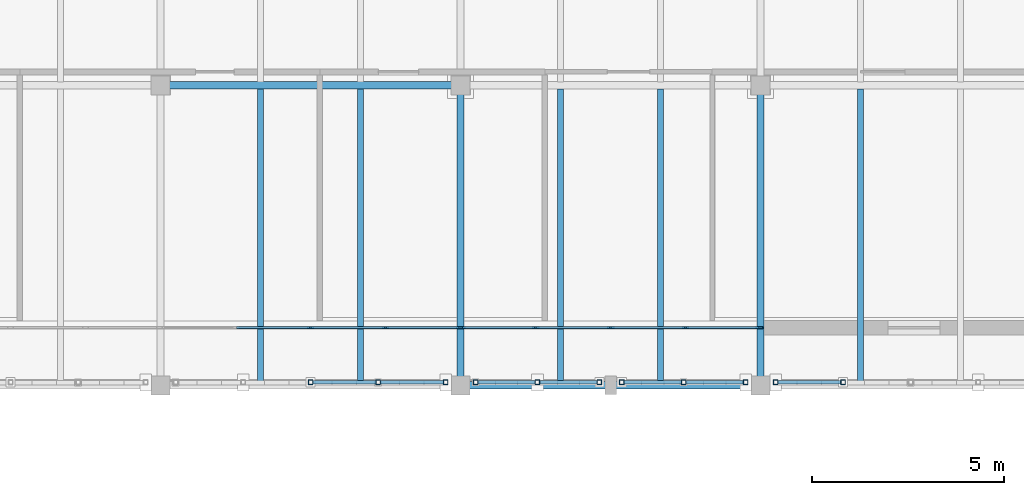
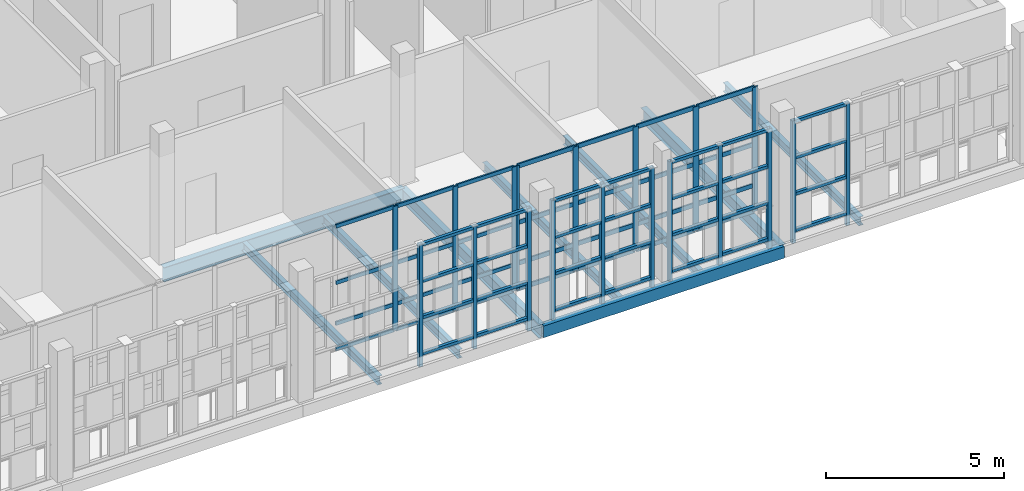
# One storey, part 41 of 89: 75 members, 9 beams, 2 elements without a shape of their own.
"""IFC4 building model written with IfcOpenShell, lengths in metres."""

import ifcopenshell
import ifcopenshell.guid

model = None  # the IFC model being written
_history = None  # IfcOwnerHistory: only IFC2X3 demands one
_inside = {}  # id of a spatial element -> (the spatial element, [elements in it])
_under = {}  # id of a project, library or spatial element -> (it, [spatial elements below it])
_declared = {}  # id of a project -> (the project, [libraries it declares])
_typed = {}  # id of a type object -> (the type object, [elements of that type])
_made_of = {}  # id of a material, layer set ... -> (it, [elements and type objects made of it])


def new_model(schema):
    """Start an empty IFC model of exactly this schema.

    Asked for "IFC4X3", IfcOpenShell would pick the latest addendum, in which some entities
    have other attributes; the version numbers below select the first issue.
    IFC2X3 requires an IfcOwnerHistory on every rooted entity: one is made here for all.
    """
    global model, _history
    if schema == "IFC4X3":
        model = ifcopenshell.file(schema_version=(4, 3, 0, 0))
    else:
        model = ifcopenshell.file(schema=schema)
    _inside.clear()
    _under.clear()
    _declared.clear()
    _typed.clear()
    _made_of.clear()
    _history = None
    if model.schema == "IFC2X3":
        org = make("IfcOrganization", Name="unknown")
        user = make(
            "IfcPersonAndOrganization",
            ThePerson=make("IfcPerson", FamilyName="unknown"),
            TheOrganization=org,
        )
        app = make(
            "IfcApplication",
            ApplicationDeveloper=org,
            Version="unknown",
            ApplicationFullName="unknown",
            ApplicationIdentifier="unknown",
        )
        _history = make(
            "IfcOwnerHistory",
            OwningUser=user,
            OwningApplication=app,
            ChangeAction="ADDED",
            CreationDate=0,
        )
    return model


def make(cls, **values):
    """One entity of the class cls with the attributes given. An attribute that is None is left unset."""
    return model.create_entity(
        cls, **{name: value for name, value in values.items() if value is not None}
    )


def rooted(cls, **values):
    """An entity with a GlobalId (a new one), such as an element, a storey or a relation."""
    return make(cls, GlobalId=ifcopenshell.guid.new(), OwnerHistory=_history, **values)


def si_unit(unit_type, name, prefix=None):
    """IfcSIUnit, for example si_unit("LENGTHUNIT", "METRE", prefix="MILLI")."""
    return make("IfcSIUnit", UnitType=unit_type, Prefix=prefix, Name=name)


def assignment(units):
    """IfcUnitAssignment: the units of a project."""
    return None if units is None else make("IfcUnitAssignment", Units=units)


def point(xyz):
    """IfcCartesianPoint."""
    return None if xyz is None else make("IfcCartesianPoint", Coordinates=xyz)


def direction(xyz):
    """IfcDirection."""
    return None if xyz is None else make("IfcDirection", DirectionRatios=xyz)


def frame(location, z_axis=None, x_axis=None):
    """IfcAxis2Placement3D, a coordinate frame: its origin and axes. An axis left out is left unset."""
    return make(
        "IfcAxis2Placement3D",
        Location=point(location),
        Axis=direction(z_axis),
        RefDirection=direction(x_axis),
    )


def frame_2d(location, x_axis=None):
    """IfcAxis2Placement2D, a coordinate frame in the plane: its origin and x axis."""
    return make(
        "IfcAxis2Placement2D", Location=point(location), RefDirection=direction(x_axis)
    )


def origin():
    """The frame at (0, 0, 0) with its axes left unset."""
    return frame((0.0, 0.0, 0.0))


def origin_2d():
    """The frame at (0, 0) in the plane with its x axis left unset."""
    return frame_2d((0.0, 0.0))


def place(relative_to, where):
    """IfcLocalPlacement: puts the frame where relative to a parent placement (None: the world)."""
    return make(
        "IfcLocalPlacement", PlacementRelTo=relative_to, RelativePlacement=where
    )


def context(
    kind, dimensions, precision=None, world=None, true_north=None, identifier=None
):
    """IfcGeometricRepresentationContext, for example the 3D "Model" context."""
    return make(
        "IfcGeometricRepresentationContext",
        ContextIdentifier=identifier,
        ContextType=kind,
        CoordinateSpaceDimension=dimensions,
        Precision=precision,
        WorldCoordinateSystem=world,
        TrueNorth=true_north,
    )


def subcontext(parent, identifier, kind, view, scale=None):
    """IfcGeometricRepresentationSubContext, for example "Body" below "Model"."""
    return make(
        "IfcGeometricRepresentationSubContext",
        ContextIdentifier=identifier,
        ContextType=kind,
        ParentContext=parent,
        TargetScale=scale,
        TargetView=view,
    )


def project(units=None, contexts=None):
    """IfcProject with its units and contexts."""
    return rooted(
        "IfcProject",
        Name="project",
        RepresentationContexts=contexts,
        UnitsInContext=assignment(units),
    )


def spatial(cls, under=None, at=None, **own):
    """A site, building, storey or space (cls), placed at a placement, below another one or the project."""
    s = rooted(cls, ObjectPlacement=at, **own)
    if under is not None:
        _under.setdefault(under.id(), (under, []))[1].append(s)
    return s


def profile(cls, at=None, kind="AREA", **sizes):
    """A parametric profile (cls). Its sizes go by their IFC names, for example OverallWidth=200.0."""
    return make(cls, ProfileType=kind, Position=at, **sizes)


def rectangle(**sizes):
    """IfcRectangleProfileDef."""
    return profile("IfcRectangleProfileDef", **sizes)


def hollow_rectangle(**sizes):
    """IfcRectangleHollowProfileDef."""
    return profile("IfcRectangleHollowProfileDef", **sizes)


def i_section(**sizes):
    """IfcIShapeProfileDef."""
    return profile("IfcIShapeProfileDef", **sizes)


def extrude(swept, where, along, depth):
    """IfcExtrudedAreaSolid: the profile swept, set in the frame where, extruded along a direction by depth."""
    return make(
        "IfcExtrudedAreaSolid",
        SweptArea=swept,
        Position=where,
        ExtrudedDirection=direction(along),
        Depth=depth,
    )


def shape(context_of_items, identifier, shape_type, items):
    """IfcShapeRepresentation: the items that make up one representation, for example the "Body"."""
    return make(
        "IfcShapeRepresentation",
        ContextOfItems=context_of_items,
        RepresentationIdentifier=identifier,
        RepresentationType=shape_type,
        Items=items,
    )


def material(Name=None, Category=None):
    """IfcMaterial."""
    return make("IfcMaterial", Name=Name, Category=Category)


def layer(
    of_material, thickness, ventilated=None, Name=None, Category=None, Priority=None
):
    """IfcMaterialLayer: one layer of a wall or slab, of a material (None: an air gap)."""
    return make(
        "IfcMaterialLayer",
        Material=of_material,
        LayerThickness=thickness,
        IsVentilated=ventilated,
        Name=Name,
        Category=Category,
        Priority=Priority,
    )


def layer_set(layers, Name=None):
    """IfcMaterialLayerSet."""
    return make("IfcMaterialLayerSet", MaterialLayers=layers, LayerSetName=Name)


def material_profile(
    of_material, cross_section, Name=None, Category=None, Priority=None
):
    """IfcMaterialProfile: a cross section and its material."""
    return make(
        "IfcMaterialProfile",
        Name=Name,
        Material=of_material,
        Profile=cross_section,
        Priority=Priority,
        Category=Category,
    )


def profile_set(profiles, Name=None, composite=None):
    """IfcMaterialProfileSet."""
    return make(
        "IfcMaterialProfileSet",
        Name=Name,
        MaterialProfiles=profiles,
        CompositeProfile=composite,
    )


def made_of(thing, what):
    """Note that an element or type object is made of a material, layer set ...; save() writes the relation."""
    if what is not None:
        _made_of.setdefault(what.id(), (what, []))[1].append(thing)
    return thing


def type_object(cls, material=None, **own):
    """A type object (cls), such as IfcWallType, which elements share."""
    return made_of(rooted(cls, **own), material)


def element(
    cls,
    number,
    at=None,
    inside=None,
    cuts=None,
    type_object=None,
    material=None,
    context=None,
    identifier="Body",
    shape_type=None,
    held_by="IfcProductDefinitionShape",
    body=None,
    shapes=None,
    **own,
):
    """One element of the class cls, such as IfcWall. Its Tag is "e" and its number.

    at: its placement. inside: the storey or other place that contains it. cuts: it is an
    opening in that element (IfcRelVoidsElement). A single representation is given by context,
    identifier, shape_type and body (its items); several are given by shapes. held_by: the class
    of the entity that holds the representations. save() writes the other relations.
    """
    e = rooted(cls, Tag="e%d" % number, ObjectPlacement=at, **own)
    if body is not None:
        shapes = [shape(context, identifier, shape_type, body)]
    if shapes is not None:
        e.Representation = make(held_by, Representations=shapes)
    if inside is not None:
        _inside.setdefault(inside.id(), (inside, []))[1].append(e)
    if cuts is not None:
        rooted(
            "IfcRelVoidsElement", RelatingBuildingElement=cuts, RelatedOpeningElement=e
        )
    if type_object is not None:
        _typed.setdefault(type_object.id(), (type_object, []))[1].append(e)
    return made_of(e, material)


def aggregate(whole, parts):
    """IfcRelAggregates: a whole, such as a stair, and the parts it consists of."""
    return rooted("IfcRelAggregates", RelatingObject=whole, RelatedObjects=parts)


def save(model, path):
    """Write the relations noted so far, then the file.

    IfcRelAggregates (storeys below a building ...), IfcRelContainedInSpatialStructure (elements
    in a storey), IfcRelDefinesByType, IfcRelAssociatesMaterial and IfcRelDeclares: one each for
    every whole, place, type object, material and project.
    """
    for whole, parts in _under.values():
        aggregate(whole, parts)
    for where, things in _inside.values():
        rooted(
            "IfcRelContainedInSpatialStructure",
            RelatedElements=things,
            RelatingStructure=where,
        )
    for kind, things in _typed.values():
        rooted("IfcRelDefinesByType", RelatedObjects=things, RelatingType=kind)
    for what, things in _made_of.values():
        rooted("IfcRelAssociatesMaterial", RelatedObjects=things, RelatingMaterial=what)
    for by, libraries in _declared.values():
        rooted("IfcRelDeclares", RelatingContext=by, RelatedDefinitions=libraries)
    model.write(path)


model = new_model("IFC4")

# Units and contexts
model_context = context("Model", 3, precision=1e-05, world=origin(), true_north=direction((0.0, 1.0)))
body_context = subcontext(model_context, "Body", "Model", "MODEL_VIEW")
ifc_project = project(units=[si_unit("LENGTHUNIT", "METRE"), si_unit("AREAUNIT", "SQUARE_METRE"), si_unit("VOLUMEUNIT", "CUBIC_METRE"), si_unit("PLANEANGLEUNIT", "RADIAN"), si_unit("MASSUNIT", "GRAM", prefix="KILO")], contexts=[model_context])

# Site, building, storey
site_placement = place(None, origin())
site = spatial("IfcSite", under=ifc_project, at=site_placement, CompositionType="ELEMENT")
building_placement = place(site_placement, origin())
building = spatial("IfcBuilding", under=site, at=building_placement, Name="Celorna Specialist Clinic", CompositionType="ELEMENT")
storey_placement = place(building_placement, frame((0.0, 0.0, 14.10009765625)))
storey = spatial("IfcBuildingStorey", under=building, at=storey_placement, Name="L03", CompositionType="ELEMENT", Elevation=14.10009765625)

# Beams
ifc_material_1 = material(Name="Steel S355", Category="steel")
ifc_material_profile_1 = material_profile(ifc_material_1, i_section(OverallWidth=0.199951171875, OverallDepth=0.5, WebThickness=0.01025390625, FlangeThickness=0.01611328125, at=origin_2d()), Name="IPE 500")
ifc_profile_set_1 = profile_set([ifc_material_profile_1], Name="Steel S355")
beam_type_1 = type_object("IfcBeamType", Name="BM-08", PredefinedType="BEAM", material=ifc_profile_set_1)
beam_1_placement = place(storey_placement, frame((109.199951171875, 104.300048828125, -0.510009765625), z_axis=(1.0, 0.0, 0.0), x_axis=(0.0, 1.0, 0.0)))
element("IfcBeam", 1, at=beam_1_placement, inside=storey, type_object=beam_type_1, Name="Primary girder BM-08 #1220", PredefinedType="BEAM", context=body_context, shape_type="SweptSolid", body=[
    extrude(i_section(OverallWidth=0.199951171875, OverallDepth=0.5, WebThickness=0.01025390625, FlangeThickness=0.01611328125, at=origin_2d()), origin(), (0.0, 0.0, 1.0), 7.800048828125),
])
ifc_material_profile_2 = material_profile(ifc_material_1, i_section(OverallWidth=0.18994140625, OverallDepth=0.449951171875, WebThickness=0.009521484375, FlangeThickness=0.0146484375, at=origin_2d()), Name="IPE 450")
ifc_profile_set_2 = profile_set([ifc_material_profile_2], Name="Steel S355")
beam_type_2 = type_object("IfcBeamType", Name="BM-09", PredefinedType="BEAM", material=ifc_profile_set_2)
for number, where, z_axis, x_axis, name in (
    (2, (117.0, 96.5, -0.485107421875), (0.0, 1.0, 0.0), (-1.0, 0.0, 0.0), "Transverse girder BM-09 #1272"),
    (3, (124.800048828125, 96.5, -0.485107421875), (0.0, 1.0, 0.0), (-1.0, 0.0, 0.0), "Transverse girder BM-09 #1275"),
):
    element("IfcBeam", number, at=place(storey_placement, frame(where, z_axis=z_axis, x_axis=x_axis)), inside=storey, type_object=beam_type_2, Name=name, PredefinedType="BEAM", context=body_context, shape_type="SweptSolid", body=[
        extrude(i_section(OverallWidth=0.18994140625, OverallDepth=0.449951171875, WebThickness=0.009521484375, FlangeThickness=0.0146484375, at=origin_2d()), origin(), (0.0, 0.0, 1.0), 7.800048828125),
    ])
ifc_material_profile_3 = material_profile(ifc_material_1, i_section(OverallWidth=0.14990234375, OverallDepth=0.300048828125, WebThickness=0.007080078125, FlangeThickness=0.0107421875, at=origin_2d()), Name="IPE 300")
ifc_profile_set_3 = profile_set([ifc_material_profile_3], Name="Steel S355")
beam_type_3 = type_object("IfcBeamType", Name="BM-13", PredefinedType="JOIST", material=ifc_profile_set_3)
for number, where, z_axis, x_axis, name in (
    (4, (111.800048828125, 96.587890625, -0.41015625), (0.0, 1.0, 0.0), (-1.0, 0.0, 0.0), "Secondary floor joist BM-13 #1323"),
    (5, (114.39990234375, 96.587890625, -0.41015625), (0.0, 1.0, 0.0), (-1.0, 0.0, 0.0), "Secondary floor joist BM-13 #1324"),
    (6, (119.60009765625, 96.587890625, -0.41015625), (0.0, 1.0, 0.0), (-1.0, 0.0, 0.0), "Secondary floor joist BM-13 #1329"),
    (7, (122.199951171875, 96.587890625, -0.41015625), (0.0, 1.0, 0.0), (-1.0, 0.0, 0.0), "Secondary floor joist BM-13 #1330"),
    (8, (127.39990234375, 96.587890625, -0.41015625), (0.0, 1.0, 0.0), (-1.0, 0.0, 0.0), "Secondary floor joist BM-13 #1333"),
):
    element("IfcBeam", number, at=place(storey_placement, frame(where, z_axis=z_axis, x_axis=x_axis)), inside=storey, type_object=beam_type_3, Name=name, PredefinedType="JOIST", context=body_context, shape_type="SweptSolid", body=[
        extrude(i_section(OverallWidth=0.14990234375, OverallDepth=0.300048828125, WebThickness=0.007080078125, FlangeThickness=0.0107421875, at=origin_2d()), origin(), (0.0, 0.0, 1.0), 7.6240234375),
    ])
ifc_material_profile_4 = material_profile(ifc_material_1, hollow_rectangle(XDim=0.199951171875, YDim=0.39990234375, WallThickness=0.011962890625, at=origin_2d()), Name="RHS 200x400x12")
ifc_profile_set_4 = profile_set([ifc_material_profile_4], Name="Steel S355")
beam_type_4 = type_object("IfcBeamType", Name="BM-15", PredefinedType="SPANDREL", material=ifc_profile_set_4)
beam_2_placement = place(storey_placement, frame((117.0, 96.5, -0.460205078125), z_axis=(1.0, 0.0, 0.0), x_axis=(0.0, 1.0, 0.0)))
element("IfcBeam", 9, at=beam_2_placement, inside=storey, type_object=beam_type_4, Name="Spandrel beam BM-15 #1210", PredefinedType="SPANDREL", context=body_context, shape_type="SweptSolid", body=[
    extrude(hollow_rectangle(XDim=0.199951171875, YDim=0.39990234375, WallThickness=0.011962890625, at=origin_2d()), origin(), (0.0, 0.0, 1.0), 7.800048828125),
])

# Members
ifc_material_profile_5 = material_profile(ifc_material_1, hollow_rectangle(XDim=0.1201171875, YDim=0.1201171875, WallThickness=0.008056640625, at=origin_2d()), Name="SHS 120x120x8")
ifc_profile_set_5 = profile_set([ifc_material_profile_5], Name="Steel S355")
member_type_1 = type_object("IfcMemberType", Name="MB-11", PredefinedType="STUD", material=ifc_profile_set_5)
for number, where, z_axis, x_axis, name in (
    (10, (113.10009765625, 96.580078125, -0.360107421875), (0.0, 0.0, 1.0), (1.0, 0.0, 0.0), "Perforated screen steel post #1403"),
    (11, (114.85498046875, 96.580078125, -0.360107421875), (0.0, 0.0, 1.0), (1.0, 0.0, 0.0), "Perforated screen steel post #1404"),
    (12, (116.610107421875, 96.580078125, -0.360107421875), (0.0, 0.0, 1.0), (1.0, 0.0, 0.0), "Perforated screen steel post #1405"),
    (13, (117.389892578125, 96.580078125, -0.360107421875), (0.0, 0.0, 1.0), (1.0, 0.0, 0.0), "Perforated screen steel post #1422"),
    (14, (119.0, 96.580078125, -0.360107421875), (0.0, 0.0, 1.0), (1.0, 0.0, 0.0), "Perforated screen steel post #1423"),
    (15, (120.610107421875, 96.580078125, -0.360107421875), (0.0, 0.0, 1.0), (1.0, 0.0, 0.0), "Perforated screen steel post #1424"),
    (16, (121.18994140625, 96.580078125, -0.360107421875), (0.0, 0.0, 1.0), (1.0, 0.0, 0.0), "Perforated screen steel post #1433"),
    (17, (122.800048828125, 96.580078125, -0.360107421875), (0.0, 0.0, 1.0), (1.0, 0.0, 0.0), "Perforated screen steel post #1434"),
    (18, (124.409912109375, 96.580078125, -0.360107421875), (0.0, 0.0, 1.0), (1.0, 0.0, 0.0), "Perforated screen steel post #1435"),
    (19, (125.18994140625, 96.580078125, -0.360107421875), (0.0, 0.0, 1.0), (1.0, 0.0, 0.0), "Perforated screen steel post #1444"),
    (20, (126.945068359375, 96.580078125, -0.360107421875), (0.0, 0.0, 1.0), (1.0, 0.0, 0.0), "Perforated screen steel post #1445"),
):
    element("IfcMember", number, at=place(storey_placement, frame(where, z_axis=z_axis, x_axis=x_axis)), inside=storey, type_object=member_type_1, Name=name, PredefinedType="STUD", context=body_context, shape_type="SweptSolid", body=[
        extrude(hollow_rectangle(XDim=0.1201171875, YDim=0.1201171875, WallThickness=0.008056640625, at=origin_2d()), origin(), (0.0, 0.0, 1.0), 4.199951171875),
    ])
ifc_material_profile_6 = material_profile(ifc_material_1, hollow_rectangle(XDim=0.10009765625, YDim=0.10009765625, WallThickness=0.006103515625, at=origin_2d()), Name="SHS 100x100x6")
ifc_profile_set_6 = profile_set([ifc_material_profile_6], Name="Steel S355")
member_type_2 = type_object("IfcMemberType", Name="MB-12", PredefinedType="STUD", material=ifc_profile_set_6)
for number, where, z_axis, x_axis, name in (
    (21, (113.159912109375, 96.580078125, 0.0498046875), (1.0, 0.0, 0.0), (0.0, 1.0, 0.0), "Perforated screen rail #1414"),
    (22, (113.159912109375, 96.580078125, 1.296630859375), (1.0, 0.0, 0.0), (0.0, 1.0, 0.0), "Perforated screen rail #1415"),
    (23, (113.159912109375, 96.580078125, 2.543212890625), (1.0, 0.0, 0.0), (0.0, 1.0, 0.0), "Perforated screen rail #1416"),
    (24, (113.159912109375, 96.580078125, 3.789794921875), (1.0, 0.0, 0.0), (0.0, 1.0, 0.0), "Perforated screen rail #1417"),
    (25, (114.9150390625, 96.580078125, 0.0498046875), (1.0, 0.0, 0.0), (0.0, 1.0, 0.0), "Perforated screen rail #1418"),
    (26, (114.9150390625, 96.580078125, 1.296630859375), (1.0, 0.0, 0.0), (0.0, 1.0, 0.0), "Perforated screen rail #1419"),
    (27, (114.9150390625, 96.580078125, 2.543212890625), (1.0, 0.0, 0.0), (0.0, 1.0, 0.0), "Perforated screen rail #1420"),
    (28, (114.9150390625, 96.580078125, 3.789794921875), (1.0, 0.0, 0.0), (0.0, 1.0, 0.0), "Perforated screen rail #1421"),
):
    element("IfcMember", number, at=place(storey_placement, frame(where, z_axis=z_axis, x_axis=x_axis)), inside=storey, type_object=member_type_2, Name=name, PredefinedType="STUD", context=body_context, shape_type="SweptSolid", body=[
        extrude(hollow_rectangle(XDim=0.10009765625, YDim=0.10009765625, WallThickness=0.006103515625, at=origin_2d()), origin(), (0.0, 0.0, 1.0), 1.635009765625),
    ])
for number, where, z_axis, x_axis, name in (
    (29, (117.449951171875, 96.580078125, 0.0498046875), (1.0, 0.0, 0.0), (0.0, 1.0, 0.0), "Perforated screen rail #1425"),
    (30, (117.449951171875, 96.580078125, 1.296630859375), (1.0, 0.0, 0.0), (0.0, 1.0, 0.0), "Perforated screen rail #1426"),
    (31, (117.449951171875, 96.580078125, 2.543212890625), (1.0, 0.0, 0.0), (0.0, 1.0, 0.0), "Perforated screen rail #1427"),
    (32, (117.449951171875, 96.580078125, 3.789794921875), (1.0, 0.0, 0.0), (0.0, 1.0, 0.0), "Perforated screen rail #1428"),
    (33, (119.06005859375, 96.580078125, 0.0498046875), (1.0, 0.0, 0.0), (0.0, 1.0, 0.0), "Perforated screen rail #1429"),
    (34, (119.06005859375, 96.580078125, 1.296630859375), (1.0, 0.0, 0.0), (0.0, 1.0, 0.0), "Perforated screen rail #1430"),
    (35, (119.06005859375, 96.580078125, 2.543212890625), (1.0, 0.0, 0.0), (0.0, 1.0, 0.0), "Perforated screen rail #1431"),
    (36, (119.06005859375, 96.580078125, 3.789794921875), (1.0, 0.0, 0.0), (0.0, 1.0, 0.0), "Perforated screen rail #1432"),
    (37, (121.25, 96.580078125, 0.0498046875), (1.0, 0.0, 0.0), (0.0, 1.0, 0.0), "Perforated screen rail #1436"),
    (38, (121.25, 96.580078125, 1.296630859375), (1.0, 0.0, 0.0), (0.0, 1.0, 0.0), "Perforated screen rail #1437"),
    (39, (121.25, 96.580078125, 2.543212890625), (1.0, 0.0, 0.0), (0.0, 1.0, 0.0), "Perforated screen rail #1438"),
    (40, (121.25, 96.580078125, 3.789794921875), (1.0, 0.0, 0.0), (0.0, 1.0, 0.0), "Perforated screen rail #1439"),
    (41, (122.860107421875, 96.580078125, 0.0498046875), (1.0, 0.0, 0.0), (0.0, 1.0, 0.0), "Perforated screen rail #1440"),
    (42, (122.860107421875, 96.580078125, 1.296630859375), (1.0, 0.0, 0.0), (0.0, 1.0, 0.0), "Perforated screen rail #1441"),
    (43, (122.860107421875, 96.580078125, 2.543212890625), (1.0, 0.0, 0.0), (0.0, 1.0, 0.0), "Perforated screen rail #1442"),
    (44, (122.860107421875, 96.580078125, 3.789794921875), (1.0, 0.0, 0.0), (0.0, 1.0, 0.0), "Perforated screen rail #1443"),
):
    element("IfcMember", number, at=place(storey_placement, frame(where, z_axis=z_axis, x_axis=x_axis)), inside=storey, type_object=member_type_2, Name=name, PredefinedType="STUD", context=body_context, shape_type="SweptSolid", body=[
        extrude(hollow_rectangle(XDim=0.10009765625, YDim=0.10009765625, WallThickness=0.006103515625, at=origin_2d()), origin(), (0.0, 0.0, 1.0), 1.489990234375),
    ])
for number, where, z_axis, x_axis, name in (
    (45, (125.25, 96.580078125, 0.0498046875), (1.0, 0.0, 0.0), (0.0, 1.0, 0.0), "Perforated screen rail #1449"),
    (46, (125.25, 96.580078125, 1.296630859375), (1.0, 0.0, 0.0), (0.0, 1.0, 0.0), "Perforated screen rail #1450"),
    (47, (125.25, 96.580078125, 2.543212890625), (1.0, 0.0, 0.0), (0.0, 1.0, 0.0), "Perforated screen rail #1451"),
    (48, (125.25, 96.580078125, 3.789794921875), (1.0, 0.0, 0.0), (0.0, 1.0, 0.0), "Perforated screen rail #1452"),
):
    element("IfcMember", number, at=place(storey_placement, frame(where, z_axis=z_axis, x_axis=x_axis)), inside=storey, type_object=member_type_2, Name=name, PredefinedType="STUD", context=body_context, shape_type="SweptSolid", body=[
        extrude(hollow_rectangle(XDim=0.10009765625, YDim=0.10009765625, WallThickness=0.006103515625, at=origin_2d()), origin(), (0.0, 0.0, 1.0), 1.635009765625),
    ])

# Curtain wall, members
ifc_material_2 = material(Name="Thermally broken aluminium and solar-control glass curtain wall", Category="aluminium")
ifc_layer_1 = layer(ifc_material_2, 0.159912109375, Name="Thermally broken aluminium and solar-control glass curtain wall")
ifc_layer_set_1 = layer_set([ifc_layer_1], Name="Thermally broken aluminium and solar-control glass curtain wall")
curtain_wall_type_1 = type_object("IfcCurtainWallType", Name="CW-70", PredefinedType="NOTDEFINED", material=ifc_layer_set_1)
curtain_wall_1_placement = place(storey_placement, origin())
curtain_wall_1 = element("IfcCurtainWall", 49, at=curtain_wall_1_placement, inside=storey, type_object=curtain_wall_type_1, Name="Curtain wall CW-70 #135", PredefinedType="NOTDEFINED")
ifc_material_3 = material(Name="Anodized aluminium mullion", Category="aluminium")
ifc_material_profile_7 = material_profile(ifc_material_3, rectangle(XDim=0.050048828125, YDim=0.159912109375, at=origin_2d()), Name="ALU MULLION 50x160")
ifc_profile_set_7 = profile_set([ifc_material_profile_7], Name="Anodized aluminium mullion")
member_type_3 = type_object("IfcMemberType", Name="ML-01", PredefinedType="MULLION", material=ifc_profile_set_7)
member_1_placement = place(storey_placement, frame((116.970947265625, 98.0, 0.0), z_axis=(0.0, 0.0, 1.0), x_axis=(0.0, -1.0, 0.0)))
member_1 = element("IfcMember", 50, at=member_1_placement, type_object=member_type_3, Name="CW-70 mullion 1", PredefinedType="MULLION", context=body_context, shape_type="SweptSolid", body=[
    extrude(rectangle(XDim=0.050048828125, YDim=0.159912109375, at=origin_2d()), origin(), (0.0, 0.0, 1.0), 4.260009765625),
])
member_2_placement = place(storey_placement, frame((115.048095703125, 98.0, 0.0), z_axis=(0.0, 0.0, 1.0), x_axis=(0.0, -1.0, 0.0)))
member_2 = element("IfcMember", 51, at=member_2_placement, type_object=member_type_3, Name="CW-70 mullion 2", PredefinedType="MULLION", context=body_context, shape_type="SweptSolid", body=[
    extrude(rectangle(XDim=0.050048828125, YDim=0.159912109375, at=origin_2d()), origin(), (0.0, 0.0, 1.0), 4.260009765625),
])
member_3_placement = place(storey_placement, frame((113.10009765625, 98.0, 0.0), z_axis=(0.0, 0.0, 1.0), x_axis=(0.0, -1.0, 0.0)))
member_3 = element("IfcMember", 52, at=member_3_placement, type_object=member_type_3, Name="CW-70 mullion 3", PredefinedType="MULLION", context=body_context, shape_type="SweptSolid", body=[
    extrude(rectangle(XDim=0.050048828125, YDim=0.159912109375, at=origin_2d()), origin(), (0.0, 0.0, 1.0), 4.260009765625),
])

ifc_layer_2 = layer(ifc_material_2, 0.159912109375, Name="Thermally broken aluminium and solar-control glass curtain wall")
ifc_layer_set_2 = layer_set([ifc_layer_2], Name="Thermally broken aluminium and solar-control glass curtain wall")
curtain_wall_type_2 = type_object("IfcCurtainWallType", Name="CW-71", PredefinedType="NOTDEFINED", material=ifc_layer_set_2)
curtain_wall_2_placement = place(storey_placement, origin())
curtain_wall_2 = element("IfcCurtainWall", 53, at=curtain_wall_2_placement, inside=storey, type_object=curtain_wall_type_2, Name="Curtain wall CW-71 #136", PredefinedType="NOTDEFINED")
ifc_material_profile_8 = material_profile(ifc_material_3, rectangle(XDim=0.050048828125, YDim=0.179931640625, at=origin_2d()), Name="ALU MULLION 50x180")
ifc_profile_set_8 = profile_set([ifc_material_profile_8], Name="Anodized aluminium mullion")
member_type_4 = type_object("IfcMemberType", Name="ML-02", PredefinedType="MULLION", material=ifc_profile_set_8)
member_4_placement = place(storey_placement, frame((124.77099609375, 98.0, 0.0), z_axis=(0.0, 0.0, 1.0), x_axis=(0.0, -1.0, 0.0)))
member_4 = element("IfcMember", 54, at=member_4_placement, type_object=member_type_4, Name="CW-71 mullion 1", PredefinedType="MULLION", context=body_context, shape_type="SweptSolid", body=[
    extrude(rectangle(XDim=0.050048828125, YDim=0.179931640625, at=origin_2d()), origin(), (0.0, 0.0, 1.0), 4.260009765625),
])
member_5_placement = place(storey_placement, frame((122.847900390625, 98.0, 0.0), z_axis=(0.0, 0.0, 1.0), x_axis=(0.0, -1.0, 0.0)))
member_5 = element("IfcMember", 55, at=member_5_placement, type_object=member_type_4, Name="CW-71 mullion 2", PredefinedType="MULLION", context=body_context, shape_type="SweptSolid", body=[
    extrude(rectangle(XDim=0.050048828125, YDim=0.179931640625, at=origin_2d()), origin(), (0.0, 0.0, 1.0), 4.260009765625),
])
member_6_placement = place(storey_placement, frame((120.89990234375, 98.0, 0.0), z_axis=(0.0, 0.0, 1.0), x_axis=(0.0, -1.0, 0.0)))
member_6 = element("IfcMember", 56, at=member_6_placement, type_object=member_type_4, Name="CW-71 mullion 3", PredefinedType="MULLION", context=body_context, shape_type="SweptSolid", body=[
    extrude(rectangle(XDim=0.050048828125, YDim=0.179931640625, at=origin_2d()), origin(), (0.0, 0.0, 1.0), 4.260009765625),
])
member_7_placement = place(storey_placement, frame((118.951904296875, 98.0, 0.0), z_axis=(0.0, 0.0, 1.0), x_axis=(0.0, -1.0, 0.0)))
member_7 = element("IfcMember", 57, at=member_7_placement, type_object=member_type_4, Name="CW-71 mullion 4", PredefinedType="MULLION", context=body_context, shape_type="SweptSolid", body=[
    extrude(rectangle(XDim=0.050048828125, YDim=0.179931640625, at=origin_2d()), origin(), (0.0, 0.0, 1.0), 4.260009765625),
])
member_8_placement = place(storey_placement, frame((117.029052734375, 98.0, 0.0), z_axis=(0.0, 0.0, 1.0), x_axis=(0.0, -1.0, 0.0)))
member_8 = element("IfcMember", 58, at=member_8_placement, type_object=member_type_4, Name="CW-71 mullion 5", PredefinedType="MULLION", context=body_context, shape_type="SweptSolid", body=[
    extrude(rectangle(XDim=0.050048828125, YDim=0.179931640625, at=origin_2d()), origin(), (0.0, 0.0, 1.0), 4.260009765625),
])

# Member
ifc_material_4 = material(Name="Anodized aluminium transom", Category="aluminium")
ifc_material_profile_9 = material_profile(ifc_material_4, rectangle(XDim=0.050048828125, YDim=0.1298828125, at=origin_2d()), Name="ALU TRANSOM 50x130")
ifc_profile_set_9 = profile_set([ifc_material_profile_9], Name="Anodized aluminium transom")
member_type_5 = type_object("IfcMemberType", Name="TR-01", PredefinedType="USERDEFINED", material=ifc_profile_set_9)
member_9_placement = place(storey_placement, frame((116.946044921875, 98.0, 0.02490234375), z_axis=(-1.0, 0.0, 0.0), x_axis=(0.0, -1.0, 0.0)))
member_9 = element("IfcMember", 59, at=member_9_placement, type_object=member_type_5, Name="CW-70 transom 1.1", ObjectType="TRANSOM", PredefinedType="USERDEFINED", context=body_context, shape_type="SweptSolid", body=[
    extrude(rectangle(XDim=0.050048828125, YDim=0.1298828125, at=origin_2d()), origin(), (0.0, 0.0, 1.0), 1.873046875),
])

member_10_placement = place(storey_placement, frame((116.946044921875, 98.0, 0.89990234375), z_axis=(-1.0, 0.0, 0.0), x_axis=(0.0, -1.0, 0.0)))
member_10 = element("IfcMember", 60, at=member_10_placement, type_object=member_type_5, Name="CW-70 transom 1.2", ObjectType="TRANSOM", PredefinedType="USERDEFINED", context=body_context, shape_type="SweptSolid", body=[
    extrude(rectangle(XDim=0.050048828125, YDim=0.1298828125, at=origin_2d()), origin(), (0.0, 0.0, 1.0), 1.873046875),
])

member_11_placement = place(storey_placement, frame((116.946044921875, 98.0, 2.2998046875), z_axis=(-1.0, 0.0, 0.0), x_axis=(0.0, -1.0, 0.0)))
member_11 = element("IfcMember", 61, at=member_11_placement, type_object=member_type_5, Name="CW-70 transom 1.3", ObjectType="TRANSOM", PredefinedType="USERDEFINED", context=body_context, shape_type="SweptSolid", body=[
    extrude(rectangle(XDim=0.050048828125, YDim=0.1298828125, at=origin_2d()), origin(), (0.0, 0.0, 1.0), 1.873046875),
])

member_12_placement = place(storey_placement, frame((116.946044921875, 98.0, 4.23486328125), z_axis=(-1.0, 0.0, 0.0), x_axis=(0.0, -1.0, 0.0)))
member_12 = element("IfcMember", 62, at=member_12_placement, type_object=member_type_5, Name="CW-70 transom 1.4", ObjectType="TRANSOM", PredefinedType="USERDEFINED", context=body_context, shape_type="SweptSolid", body=[
    extrude(rectangle(XDim=0.050048828125, YDim=0.1298828125, at=origin_2d()), origin(), (0.0, 0.0, 1.0), 1.873046875),
])

member_13_placement = place(storey_placement, frame((115.02294921875, 98.0, 0.02490234375), z_axis=(-1.0, 0.0, 0.0), x_axis=(0.0, -1.0, 0.0)))
member_13 = element("IfcMember", 63, at=member_13_placement, type_object=member_type_5, Name="CW-70 transom 2.1", ObjectType="TRANSOM", PredefinedType="USERDEFINED", context=body_context, shape_type="SweptSolid", body=[
    extrude(rectangle(XDim=0.050048828125, YDim=0.1298828125, at=origin_2d()), origin(), (0.0, 0.0, 1.0), 1.89794921875),
])

member_14_placement = place(storey_placement, frame((115.02294921875, 98.0, 0.89990234375), z_axis=(-1.0, 0.0, 0.0), x_axis=(0.0, -1.0, 0.0)))
member_14 = element("IfcMember", 64, at=member_14_placement, type_object=member_type_5, Name="CW-70 transom 2.2", ObjectType="TRANSOM", PredefinedType="USERDEFINED", context=body_context, shape_type="SweptSolid", body=[
    extrude(rectangle(XDim=0.050048828125, YDim=0.1298828125, at=origin_2d()), origin(), (0.0, 0.0, 1.0), 1.89794921875),
])

member_15_placement = place(storey_placement, frame((115.02294921875, 98.0, 2.2998046875), z_axis=(-1.0, 0.0, 0.0), x_axis=(0.0, -1.0, 0.0)))
member_15 = element("IfcMember", 65, at=member_15_placement, type_object=member_type_5, Name="CW-70 transom 2.3", ObjectType="TRANSOM", PredefinedType="USERDEFINED", context=body_context, shape_type="SweptSolid", body=[
    extrude(rectangle(XDim=0.050048828125, YDim=0.1298828125, at=origin_2d()), origin(), (0.0, 0.0, 1.0), 1.89794921875),
])

member_16_placement = place(storey_placement, frame((115.02294921875, 98.0, 4.23486328125), z_axis=(-1.0, 0.0, 0.0), x_axis=(0.0, -1.0, 0.0)))
member_16 = element("IfcMember", 66, at=member_16_placement, type_object=member_type_5, Name="CW-70 transom 2.4", ObjectType="TRANSOM", PredefinedType="USERDEFINED", context=body_context, shape_type="SweptSolid", body=[
    extrude(rectangle(XDim=0.050048828125, YDim=0.1298828125, at=origin_2d()), origin(), (0.0, 0.0, 1.0), 1.89794921875),
])

member_17_placement = place(storey_placement, frame((113.074951171875, 98.0, 0.02490234375), z_axis=(-1.0, 0.0, 0.0), x_axis=(0.0, -1.0, 0.0)))
member_17 = element("IfcMember", 67, at=member_17_placement, type_object=member_type_5, Name="CW-70 transom 3.1", ObjectType="TRANSOM", PredefinedType="USERDEFINED", context=body_context, shape_type="SweptSolid", body=[
    extrude(rectangle(XDim=0.050048828125, YDim=0.1298828125, at=origin_2d()), origin(), (0.0, 0.0, 1.0), 1.89794921875),
])

member_18_placement = place(storey_placement, frame((113.074951171875, 98.0, 0.89990234375), z_axis=(-1.0, 0.0, 0.0), x_axis=(0.0, -1.0, 0.0)))
member_18 = element("IfcMember", 68, at=member_18_placement, type_object=member_type_5, Name="CW-70 transom 3.2", ObjectType="TRANSOM", PredefinedType="USERDEFINED", context=body_context, shape_type="SweptSolid", body=[
    extrude(rectangle(XDim=0.050048828125, YDim=0.1298828125, at=origin_2d()), origin(), (0.0, 0.0, 1.0), 1.89794921875),
])

member_19_placement = place(storey_placement, frame((113.074951171875, 98.0, 2.2998046875), z_axis=(-1.0, 0.0, 0.0), x_axis=(0.0, -1.0, 0.0)))
member_19 = element("IfcMember", 69, at=member_19_placement, type_object=member_type_5, Name="CW-70 transom 3.3", ObjectType="TRANSOM", PredefinedType="USERDEFINED", context=body_context, shape_type="SweptSolid", body=[
    extrude(rectangle(XDim=0.050048828125, YDim=0.1298828125, at=origin_2d()), origin(), (0.0, 0.0, 1.0), 1.89794921875),
])

member_20_placement = place(storey_placement, frame((113.074951171875, 98.0, 4.23486328125), z_axis=(-1.0, 0.0, 0.0), x_axis=(0.0, -1.0, 0.0)))
member_20 = element("IfcMember", 70, at=member_20_placement, type_object=member_type_5, Name="CW-70 transom 3.4", ObjectType="TRANSOM", PredefinedType="USERDEFINED", context=body_context, shape_type="SweptSolid", body=[
    extrude(rectangle(XDim=0.050048828125, YDim=0.1298828125, at=origin_2d()), origin(), (0.0, 0.0, 1.0), 1.89794921875),
])

aggregate(curtain_wall_1, [member_1, member_2, member_3, member_9, member_10, member_11, member_12, member_13, member_14, member_15, member_16, member_17, member_18, member_19, member_20])

ifc_material_profile_10 = material_profile(ifc_material_4, rectangle(XDim=0.050048828125, YDim=0.14990234375, at=origin_2d()), Name="ALU TRANSOM 50x150")
ifc_profile_set_10 = profile_set([ifc_material_profile_10], Name="Anodized aluminium transom")
member_type_6 = type_object("IfcMemberType", Name="TR-02", PredefinedType="USERDEFINED", material=ifc_profile_set_10)
member_21_placement = place(storey_placement, frame((124.74609375, 98.0, 0.02490234375), z_axis=(-1.0, 0.0, 0.0), x_axis=(0.0, -1.0, 0.0)))
member_21 = element("IfcMember", 71, at=member_21_placement, type_object=member_type_6, Name="CW-71 transom 1.1", ObjectType="TRANSOM", PredefinedType="USERDEFINED", context=body_context, shape_type="SweptSolid", body=[
    extrude(rectangle(XDim=0.050048828125, YDim=0.14990234375, at=origin_2d()), origin(), (0.0, 0.0, 1.0), 1.873046875),
])

member_22_placement = place(storey_placement, frame((124.74609375, 98.0, 0.89990234375), z_axis=(-1.0, 0.0, 0.0), x_axis=(0.0, -1.0, 0.0)))
member_22 = element("IfcMember", 72, at=member_22_placement, type_object=member_type_6, Name="CW-71 transom 1.2", ObjectType="TRANSOM", PredefinedType="USERDEFINED", context=body_context, shape_type="SweptSolid", body=[
    extrude(rectangle(XDim=0.050048828125, YDim=0.14990234375, at=origin_2d()), origin(), (0.0, 0.0, 1.0), 1.873046875),
])

member_23_placement = place(storey_placement, frame((124.74609375, 98.0, 2.2998046875), z_axis=(-1.0, 0.0, 0.0), x_axis=(0.0, -1.0, 0.0)))
member_23 = element("IfcMember", 73, at=member_23_placement, type_object=member_type_6, Name="CW-71 transom 1.3", ObjectType="TRANSOM", PredefinedType="USERDEFINED", context=body_context, shape_type="SweptSolid", body=[
    extrude(rectangle(XDim=0.050048828125, YDim=0.14990234375, at=origin_2d()), origin(), (0.0, 0.0, 1.0), 1.873046875),
])

member_24_placement = place(storey_placement, frame((124.74609375, 98.0, 4.23486328125), z_axis=(-1.0, 0.0, 0.0), x_axis=(0.0, -1.0, 0.0)))
member_24 = element("IfcMember", 74, at=member_24_placement, type_object=member_type_6, Name="CW-71 transom 1.4", ObjectType="TRANSOM", PredefinedType="USERDEFINED", context=body_context, shape_type="SweptSolid", body=[
    extrude(rectangle(XDim=0.050048828125, YDim=0.14990234375, at=origin_2d()), origin(), (0.0, 0.0, 1.0), 1.873046875),
])

member_25_placement = place(storey_placement, frame((122.822998046875, 98.0, 0.02490234375), z_axis=(-1.0, 0.0, 0.0), x_axis=(0.0, -1.0, 0.0)))
member_25 = element("IfcMember", 75, at=member_25_placement, type_object=member_type_6, Name="CW-71 transom 2.1", ObjectType="TRANSOM", PredefinedType="USERDEFINED", context=body_context, shape_type="SweptSolid", body=[
    extrude(rectangle(XDim=0.050048828125, YDim=0.14990234375, at=origin_2d()), origin(), (0.0, 0.0, 1.0), 1.89794921875),
])

member_26_placement = place(storey_placement, frame((122.822998046875, 98.0, 0.89990234375), z_axis=(-1.0, 0.0, 0.0), x_axis=(0.0, -1.0, 0.0)))
member_26 = element("IfcMember", 76, at=member_26_placement, type_object=member_type_6, Name="CW-71 transom 2.2", ObjectType="TRANSOM", PredefinedType="USERDEFINED", context=body_context, shape_type="SweptSolid", body=[
    extrude(rectangle(XDim=0.050048828125, YDim=0.14990234375, at=origin_2d()), origin(), (0.0, 0.0, 1.0), 1.89794921875),
])

member_27_placement = place(storey_placement, frame((122.822998046875, 98.0, 2.2998046875), z_axis=(-1.0, 0.0, 0.0), x_axis=(0.0, -1.0, 0.0)))
member_27 = element("IfcMember", 77, at=member_27_placement, type_object=member_type_6, Name="CW-71 transom 2.3", ObjectType="TRANSOM", PredefinedType="USERDEFINED", context=body_context, shape_type="SweptSolid", body=[
    extrude(rectangle(XDim=0.050048828125, YDim=0.14990234375, at=origin_2d()), origin(), (0.0, 0.0, 1.0), 1.89794921875),
])

member_28_placement = place(storey_placement, frame((122.822998046875, 98.0, 4.23486328125), z_axis=(-1.0, 0.0, 0.0), x_axis=(0.0, -1.0, 0.0)))
member_28 = element("IfcMember", 78, at=member_28_placement, type_object=member_type_6, Name="CW-71 transom 2.4", ObjectType="TRANSOM", PredefinedType="USERDEFINED", context=body_context, shape_type="SweptSolid", body=[
    extrude(rectangle(XDim=0.050048828125, YDim=0.14990234375, at=origin_2d()), origin(), (0.0, 0.0, 1.0), 1.89794921875),
])

member_29_placement = place(storey_placement, frame((120.875, 98.0, 0.02490234375), z_axis=(-1.0, 0.0, 0.0), x_axis=(0.0, -1.0, 0.0)))
member_29 = element("IfcMember", 79, at=member_29_placement, type_object=member_type_6, Name="CW-71 transom 3.1", ObjectType="TRANSOM", PredefinedType="USERDEFINED", context=body_context, shape_type="SweptSolid", body=[
    extrude(rectangle(XDim=0.050048828125, YDim=0.14990234375, at=origin_2d()), origin(), (0.0, 0.0, 1.0), 1.89794921875),
])

member_30_placement = place(storey_placement, frame((120.875, 98.0, 0.89990234375), z_axis=(-1.0, 0.0, 0.0), x_axis=(0.0, -1.0, 0.0)))
member_30 = element("IfcMember", 80, at=member_30_placement, type_object=member_type_6, Name="CW-71 transom 3.2", ObjectType="TRANSOM", PredefinedType="USERDEFINED", context=body_context, shape_type="SweptSolid", body=[
    extrude(rectangle(XDim=0.050048828125, YDim=0.14990234375, at=origin_2d()), origin(), (0.0, 0.0, 1.0), 1.89794921875),
])

member_31_placement = place(storey_placement, frame((120.875, 98.0, 2.2998046875), z_axis=(-1.0, 0.0, 0.0), x_axis=(0.0, -1.0, 0.0)))
member_31 = element("IfcMember", 81, at=member_31_placement, type_object=member_type_6, Name="CW-71 transom 3.3", ObjectType="TRANSOM", PredefinedType="USERDEFINED", context=body_context, shape_type="SweptSolid", body=[
    extrude(rectangle(XDim=0.050048828125, YDim=0.14990234375, at=origin_2d()), origin(), (0.0, 0.0, 1.0), 1.89794921875),
])

member_32_placement = place(storey_placement, frame((120.875, 98.0, 4.23486328125), z_axis=(-1.0, 0.0, 0.0), x_axis=(0.0, -1.0, 0.0)))
member_32 = element("IfcMember", 82, at=member_32_placement, type_object=member_type_6, Name="CW-71 transom 3.4", ObjectType="TRANSOM", PredefinedType="USERDEFINED", context=body_context, shape_type="SweptSolid", body=[
    extrude(rectangle(XDim=0.050048828125, YDim=0.14990234375, at=origin_2d()), origin(), (0.0, 0.0, 1.0), 1.89794921875),
])

member_33_placement = place(storey_placement, frame((118.927001953125, 98.0, 0.02490234375), z_axis=(-1.0, 0.0, 0.0), x_axis=(0.0, -1.0, 0.0)))
member_33 = element("IfcMember", 83, at=member_33_placement, type_object=member_type_6, Name="CW-71 transom 4.1", ObjectType="TRANSOM", PredefinedType="USERDEFINED", context=body_context, shape_type="SweptSolid", body=[
    extrude(rectangle(XDim=0.050048828125, YDim=0.14990234375, at=origin_2d()), origin(), (0.0, 0.0, 1.0), 1.873046875),
])

member_34_placement = place(storey_placement, frame((118.927001953125, 98.0, 0.89990234375), z_axis=(-1.0, 0.0, 0.0), x_axis=(0.0, -1.0, 0.0)))
member_34 = element("IfcMember", 84, at=member_34_placement, type_object=member_type_6, Name="CW-71 transom 4.2", ObjectType="TRANSOM", PredefinedType="USERDEFINED", context=body_context, shape_type="SweptSolid", body=[
    extrude(rectangle(XDim=0.050048828125, YDim=0.14990234375, at=origin_2d()), origin(), (0.0, 0.0, 1.0), 1.873046875),
])

member_35_placement = place(storey_placement, frame((118.927001953125, 98.0, 2.2998046875), z_axis=(-1.0, 0.0, 0.0), x_axis=(0.0, -1.0, 0.0)))
member_35 = element("IfcMember", 85, at=member_35_placement, type_object=member_type_6, Name="CW-71 transom 4.3", ObjectType="TRANSOM", PredefinedType="USERDEFINED", context=body_context, shape_type="SweptSolid", body=[
    extrude(rectangle(XDim=0.050048828125, YDim=0.14990234375, at=origin_2d()), origin(), (0.0, 0.0, 1.0), 1.873046875),
])

member_36_placement = place(storey_placement, frame((118.927001953125, 98.0, 4.23486328125), z_axis=(-1.0, 0.0, 0.0), x_axis=(0.0, -1.0, 0.0)))
member_36 = element("IfcMember", 86, at=member_36_placement, type_object=member_type_6, Name="CW-71 transom 4.4", ObjectType="TRANSOM", PredefinedType="USERDEFINED", context=body_context, shape_type="SweptSolid", body=[
    extrude(rectangle(XDim=0.050048828125, YDim=0.14990234375, at=origin_2d()), origin(), (0.0, 0.0, 1.0), 1.873046875),
])

aggregate(curtain_wall_2, [member_4, member_5, member_6, member_7, member_8, member_21, member_22, member_23, member_24, member_25, member_26, member_27, member_28, member_29, member_30, member_31, member_32, member_33, member_34, member_35, member_36])

save(model, "model.ifc")
